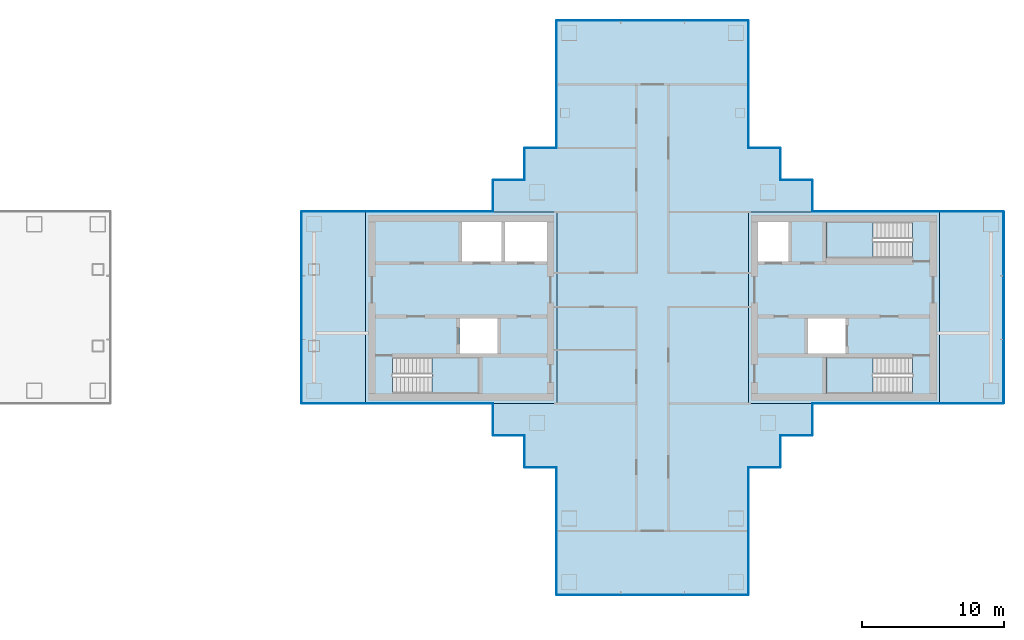
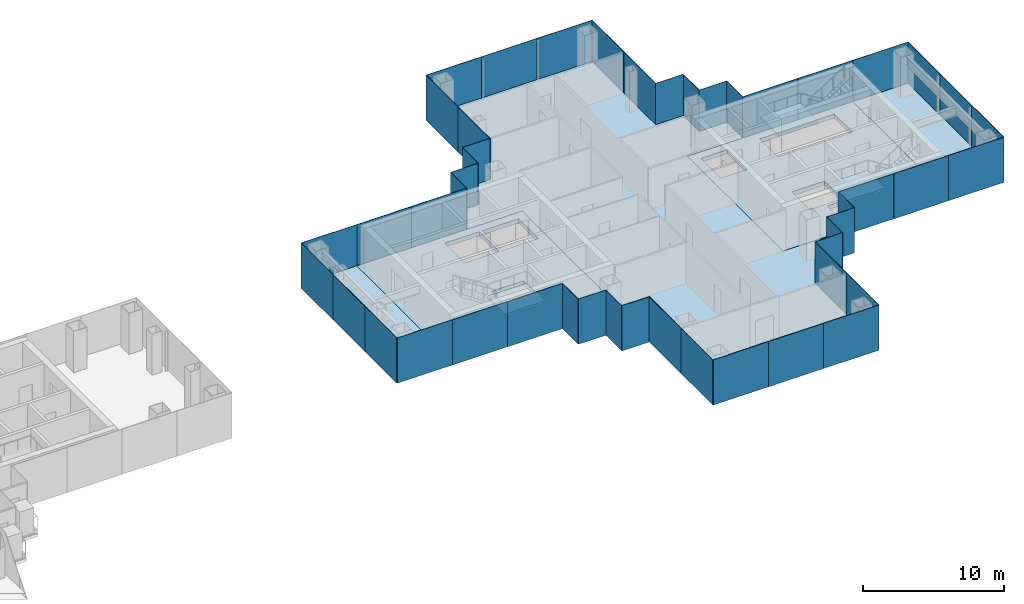
# One storey, part 8 of 16: 48 plates, 8 slabs, 23 elements without a shape of their own.
"""IFC4 building model written with IfcOpenShell, lengths in metres."""

from ifc_helpers import new_model, si_unit, direction, frame, origin, origin_2d, place, context, subcontext, project, spatial, polyline, rectangle, outline, extrude, material, layer, layer_set, type_object, element, aggregate, save


model = new_model("IFC4")

# Units and contexts
model_context = context("Model", 3, precision=1e-05, world=origin(), true_north=direction((0.0, 1.0)))
body_context = subcontext(model_context, "Body", "Model", "MODEL_VIEW")
ifc_project = project(units=[si_unit("LENGTHUNIT", "METRE"), si_unit("AREAUNIT", "SQUARE_METRE"), si_unit("VOLUMEUNIT", "CUBIC_METRE"), si_unit("PLANEANGLEUNIT", "RADIAN"), si_unit("MASSUNIT", "GRAM", prefix="KILO")], contexts=[model_context])

# Site, building, storey
site_placement = place(None, origin())
site = spatial("IfcSite", under=ifc_project, at=site_placement, CompositionType="ELEMENT")
building_placement = place(site_placement, origin())
building = spatial("IfcBuilding", under=site, at=building_placement, Name="Shamsa Quay Exchange Towers", CompositionType="ELEMENT")
storey_placement = place(building_placement, frame((0.0, 0.0, 154.5)))
storey = spatial("IfcBuildingStorey", under=building, at=storey_placement, Name="L36", CompositionType="ELEMENT", Elevation=154.5)

# Slabs
ifc_material_1 = material(Name="Concrete C50/60", Category="concrete")
ifc_layer_1 = layer(ifc_material_1, 0.35009765625)
ifc_layer_set_1 = layer_set([ifc_layer_1], Name="CORE FLOOR 350 C50/60")
slab_type_1 = type_object("IfcSlabType", Name="CORE FLOOR 350 C50/60", PredefinedType="FLOOR", material=ifc_layer_set_1)
slab_1_placement = place(storey_placement, frame((0.0, 0.0, -0.35009765625)))
element("IfcSlab", 1, at=slab_1_placement, inside=storey, type_object=slab_type_1, Name="Core floor T2A", PredefinedType="FLOOR", context=body_context, shape_type="SweptSolid", body=[
    extrude(outline(polyline([(13.5, -6.75), (27.0, -6.75), (27.0, 6.75), (13.5, 6.75), (13.5, -6.75)]), holes=[polyline([(15.400634765625, -6.050048828125), (15.400634765625, -3.5), (21.5, -3.5), (21.5, -6.050048828125), (15.400634765625, -6.050048828125)]), polyline([(20.300048828125, 3.25), (20.300048828125, 6.050048828125), (23.10009765625, 6.050048828125), (23.10009765625, 3.25), (20.300048828125, 3.25)]), polyline([(23.35009765625, 3.25), (23.35009765625, 6.050048828125), (26.300048828125, 6.050048828125), (26.300048828125, 3.25), (23.35009765625, 3.25)]), polyline([(20.14990234375, -3.25), (20.14990234375, -0.75), (22.800048828125, -0.75), (22.800048828125, -3.25), (20.14990234375, -3.25)])]), origin(), (0.0, 0.0, 1.0), 0.35009765625),
])
slab_2_placement = place(storey_placement, frame((0.0, 0.0, -0.35009765625)))
element("IfcSlab", 2, at=slab_2_placement, inside=storey, type_object=slab_type_1, Name="Core floor T2B", PredefinedType="FLOOR", context=body_context, shape_type="SweptSolid", body=[
    extrude(outline(polyline([(54.0, -6.75), (54.0, 6.75), (40.5, 6.75), (40.5, -6.75), (54.0, -6.75)]), holes=[polyline([(52.099365234375, -3.5), (52.099365234375, -6.050048828125), (46.0, -6.050048828125), (46.0, -3.5), (52.099365234375, -3.5)]), polyline([(52.099365234375, 6.050048828125), (52.099365234375, 3.5), (46.0, 3.5), (46.0, 6.050048828125), (52.099365234375, 6.050048828125)]), polyline([(43.35009765625, 3.25), (41.199951171875, 3.25), (41.199951171875, 6.050048828125), (43.35009765625, 6.050048828125), (43.35009765625, 3.25)]), polyline([(47.35009765625, -3.25), (44.699951171875, -3.25), (44.699951171875, -0.75), (47.35009765625, -0.75), (47.35009765625, -3.25)])]), origin(), (0.0, 0.0, 1.0), 0.35009765625),
])

# Stair, slab
ifc_material_2 = material(Name="Concrete C40/50", Category="concrete")
stair_type = type_object("IfcStairType", Name="EXIT STAIR 22 RISERS 177 MM", PredefinedType="HALF_TURN_STAIR", material=ifc_material_2)
stair_1_placement = place(storey_placement, origin())
stair_1 = element("IfcStair", 3, at=stair_1_placement, inside=storey, type_object=stair_type, Name="L36 Exit stair ST4", PredefinedType="HALF_TURN_STAIR")
ifc_layer_2 = layer(ifc_material_2, 0.199951171875)
ifc_layer_set_2 = layer_set([ifc_layer_2], Name="CORE STAIR LANDING")
slab_type_2 = type_object("IfcSlabType", Name="CORE STAIR LANDING", PredefinedType="LANDING", material=ifc_layer_set_2)
slab_3_placement = place(storey_placement, frame((0.0, 0.0, 1.75)))
slab_3 = element("IfcSlab", 4, at=slab_3_placement, type_object=slab_type_2, Name="ST4 landing 1", PredefinedType="LANDING", context=body_context, shape_type="SweptSolid", body=[
    extrude(outline(polyline([(18.199951171875, -6.050048828125), (21.5, -6.050048828125), (21.5, -3.5), (18.199951171875, -3.5), (18.199951171875, -6.050048828125)])), origin(), (0.0, 0.0, 1.0), 0.199951171875),
])
aggregate(stair_1, [slab_3])

stair_2_placement = place(storey_placement, origin())
stair_2 = element("IfcStair", 5, at=stair_2_placement, inside=storey, type_object=stair_type, Name="L36 Exit stair ST5", PredefinedType="HALF_TURN_STAIR")
slab_4_placement = place(storey_placement, frame((0.0, 0.0, 1.75)))
slab_4 = element("IfcSlab", 6, at=slab_4_placement, type_object=slab_type_2, Name="ST5 landing 1", PredefinedType="LANDING", context=body_context, shape_type="SweptSolid", body=[
    extrude(outline(polyline([(49.300048828125, -3.5), (46.0, -3.5), (46.0, -6.050048828125), (49.300048828125, -6.050048828125), (49.300048828125, -3.5)])), origin(), (0.0, 0.0, 1.0), 0.199951171875),
])
aggregate(stair_2, [slab_4])

stair_3_placement = place(storey_placement, origin())
stair_3 = element("IfcStair", 7, at=stair_3_placement, inside=storey, type_object=stair_type, Name="L36 Exit stair ST6", PredefinedType="HALF_TURN_STAIR")
slab_5_placement = place(storey_placement, frame((0.0, 0.0, 1.75)))
slab_5 = element("IfcSlab", 8, at=slab_5_placement, type_object=slab_type_2, Name="ST6 landing 1", PredefinedType="LANDING", context=body_context, shape_type="SweptSolid", body=[
    extrude(outline(polyline([(49.300048828125, 6.050048828125), (46.0, 6.050048828125), (46.0, 3.5), (49.300048828125, 3.5), (49.300048828125, 6.050048828125)])), origin(), (0.0, 0.0, 1.0), 0.199951171875),
])
aggregate(stair_3, [slab_5])

# Curtain wall, plate
ifc_material_3 = material(Name="Aluminium EN AW-6063 T6, black anodised", Category="aluminium")
ifc_layer_3 = layer(ifc_material_3, 0.280029296875)
ifc_layer_set_3 = layer_set([ifc_layer_3], Name="CW-1 UNITISED VISION GLASS")
curtain_wall_type_1 = type_object("IfcCurtainWallType", Name="CW-1 UNITISED VISION GLASS", PredefinedType="NOTDEFINED", material=ifc_layer_set_3)
curtain_wall_1_placement = place(storey_placement, origin())
curtain_wall_1 = element("IfcCurtainWall", 9, at=curtain_wall_1_placement, inside=storey, type_object=curtain_wall_type_1, Name="CW1 T2-FLK-V-W L36", PredefinedType="NOTDEFINED")
ifc_material_4 = material(Name="Glass, laminated, dark tinted", Category="glass")
ifc_layer_4 = layer(ifc_material_4, 0.0400390625)
ifc_layer_set_4 = layer_set([ifc_layer_4], Name="CW-1 VISION GLASS 40")
plate_type_1 = type_object("IfcPlateType", Name="CW-1 VISION GLASS 40", PredefinedType="CURTAIN_PANEL", material=ifc_layer_set_4)
plate_1_placement = place(storey_placement, frame((56.25, -6.77001953125, -0.349853515625)))
plate_1 = element("IfcPlate", 10, at=plate_1_placement, type_object=plate_type_1, Name="CW1 glass panel", PredefinedType="CURTAIN_PANEL", context=body_context, shape_type="SweptSolid", body=[
    extrude(rectangle(XDim=4.5, YDim=0.0400390625, at=origin_2d()), origin(), (0.0, 0.0, 1.0), 3.89990234375),
])
aggregate(curtain_wall_1, [plate_1])

# Curtain wall, plates
curtain_wall_2_placement = place(storey_placement, origin())
curtain_wall_2 = element("IfcCurtainWall", 11, at=curtain_wall_2_placement, inside=storey, type_object=curtain_wall_type_1, Name="CW1 T2-END-V- L36", PredefinedType="NOTDEFINED")
plate_2_placement = place(storey_placement, frame((58.52001953125, -4.50244140625, -0.349853515625), z_axis=(0.0, 0.0, 1.0), x_axis=(0.0, 1.0, 0.0)))
plate_2 = element("IfcPlate", 12, at=plate_2_placement, type_object=plate_type_1, Name="CW1 glass panel", PredefinedType="CURTAIN_PANEL", context=body_context, shape_type="SweptSolid", body=[
    extrude(rectangle(XDim=4.4951171875, YDim=0.0400390625, at=origin_2d()), origin(), (0.0, 0.0, 1.0), 3.89990234375),
])
plate_3_placement = place(storey_placement, frame((58.52001953125, 0.0, -0.349853515625), z_axis=(0.0, 0.0, 1.0), x_axis=(0.0, 1.0, 0.0)))
plate_3 = element("IfcPlate", 13, at=plate_3_placement, type_object=plate_type_1, Name="CW1 glass panel", PredefinedType="CURTAIN_PANEL", context=body_context, shape_type="SweptSolid", body=[
    extrude(rectangle(XDim=4.489990234375, YDim=0.0400390625, at=origin_2d()), origin(), (0.0, 0.0, 1.0), 3.89990234375),
])
plate_4_placement = place(storey_placement, frame((58.52001953125, 4.50244140625, -0.349853515625), z_axis=(0.0, 0.0, 1.0), x_axis=(0.0, 1.0, 0.0)))
plate_4 = element("IfcPlate", 14, at=plate_4_placement, type_object=plate_type_1, Name="CW1 glass panel", PredefinedType="CURTAIN_PANEL", context=body_context, shape_type="SweptSolid", body=[
    extrude(rectangle(XDim=4.4951171875, YDim=0.0400390625, at=origin_2d()), origin(), (0.0, 0.0, 1.0), 3.89990234375),
])
aggregate(curtain_wall_2, [plate_2, plate_3, plate_4])

# Curtain wall, plate
curtain_wall_3_placement = place(storey_placement, origin())
curtain_wall_3 = element("IfcCurtainWall", 15, at=curtain_wall_3_placement, inside=storey, type_object=curtain_wall_type_1, Name="CW1 T2-FLK-V-E L36", PredefinedType="NOTDEFINED")
plate_5_placement = place(storey_placement, frame((56.25, 6.77001953125, -0.349853515625), z_axis=(0.0, 0.0, 1.0), x_axis=(-1.0, 0.0, 0.0)))
plate_5 = element("IfcPlate", 16, at=plate_5_placement, type_object=plate_type_1, Name="CW1 glass panel", PredefinedType="CURTAIN_PANEL", context=body_context, shape_type="SweptSolid", body=[
    extrude(rectangle(XDim=4.5, YDim=0.0400390625, at=origin_2d()), origin(), (0.0, 0.0, 1.0), 3.89990234375),
])
aggregate(curtain_wall_3, [plate_5])

# Curtain wall, plates
curtain_wall_4_placement = place(storey_placement, origin())
curtain_wall_4 = element("IfcCurtainWall", 17, at=curtain_wall_4_placement, inside=storey, type_object=curtain_wall_type_1, Name="CW1 T2-FLK-U+S L36", PredefinedType="NOTDEFINED")
plate_6_placement = place(storey_placement, frame((40.52001953125, 13.52587890625, -0.349853515625), z_axis=(0.0, 0.0, 1.0), x_axis=(0.0, 1.0, 0.0)))
plate_6 = element("IfcPlate", 18, at=plate_6_placement, type_object=plate_type_1, Name="CW1 glass panel", PredefinedType="CURTAIN_PANEL", context=body_context, shape_type="SweptSolid", body=[
    extrude(rectangle(XDim=4.47607421875, YDim=0.0400390625, at=origin_2d()), origin(), (0.0, 0.0, 1.0), 3.89990234375),
])
plate_7_placement = place(storey_placement, frame((40.52001953125, 18.011962890625, -0.349853515625), z_axis=(0.0, 0.0, 1.0), x_axis=(0.0, 1.0, 0.0)))
plate_7 = element("IfcPlate", 19, at=plate_7_placement, type_object=plate_type_1, Name="CW1 glass panel", PredefinedType="CURTAIN_PANEL", context=body_context, shape_type="SweptSolid", body=[
    extrude(rectangle(XDim=4.47607421875, YDim=0.0400390625, at=origin_2d()), origin(), (0.0, 0.0, 1.0), 3.89990234375),
])
aggregate(curtain_wall_4, [plate_6, plate_7])

curtain_wall_5_placement = place(storey_placement, origin())
curtain_wall_5 = element("IfcCurtainWall", 20, at=curtain_wall_5_placement, inside=storey, type_object=curtain_wall_type_1, Name="CW1 T2-END-U+ L36", PredefinedType="NOTDEFINED")
plate_8_placement = place(storey_placement, frame((38.25244140625, 20.27001953125, -0.349853515625), z_axis=(0.0, 0.0, 1.0), x_axis=(-1.0, 0.0, 0.0)))
plate_8 = element("IfcPlate", 21, at=plate_8_placement, type_object=plate_type_1, Name="CW1 glass panel", PredefinedType="CURTAIN_PANEL", context=body_context, shape_type="SweptSolid", body=[
    extrude(rectangle(XDim=4.4951171875, YDim=0.0400390625, at=origin_2d()), origin(), (0.0, 0.0, 1.0), 3.89990234375),
])
plate_9_placement = place(storey_placement, frame((33.75, 20.27001953125, -0.349853515625), z_axis=(0.0, 0.0, 1.0), x_axis=(-1.0, 0.0, 0.0)))
plate_9 = element("IfcPlate", 22, at=plate_9_placement, type_object=plate_type_1, Name="CW1 glass panel", PredefinedType="CURTAIN_PANEL", context=body_context, shape_type="SweptSolid", body=[
    extrude(rectangle(XDim=4.489990234375, YDim=0.0400390625, at=origin_2d()), origin(), (0.0, 0.0, 1.0), 3.89990234375),
])
plate_10_placement = place(storey_placement, frame((29.24755859375, 20.27001953125, -0.349853515625), z_axis=(0.0, 0.0, 1.0), x_axis=(-1.0, 0.0, 0.0)))
plate_10 = element("IfcPlate", 23, at=plate_10_placement, type_object=plate_type_1, Name="CW1 glass panel", PredefinedType="CURTAIN_PANEL", context=body_context, shape_type="SweptSolid", body=[
    extrude(rectangle(XDim=4.4951171875, YDim=0.0400390625, at=origin_2d()), origin(), (0.0, 0.0, 1.0), 3.89990234375),
])
aggregate(curtain_wall_5, [plate_8, plate_9, plate_10])

curtain_wall_6_placement = place(storey_placement, origin())
curtain_wall_6 = element("IfcCurtainWall", 24, at=curtain_wall_6_placement, inside=storey, type_object=curtain_wall_type_1, Name="CW1 T2-FLK-U+N L36", PredefinedType="NOTDEFINED")
plate_11_placement = place(storey_placement, frame((26.97998046875, 18.00244140625, -0.349853515625), z_axis=(0.0, 0.0, 1.0), x_axis=(0.0, -1.0, 0.0)))
plate_11 = element("IfcPlate", 25, at=plate_11_placement, type_object=plate_type_1, Name="CW1 glass panel", PredefinedType="CURTAIN_PANEL", context=body_context, shape_type="SweptSolid", body=[
    extrude(rectangle(XDim=4.4951171875, YDim=0.0400390625, at=origin_2d()), origin(), (0.0, 0.0, 1.0), 3.89990234375),
])
plate_12_placement = place(storey_placement, frame((26.97998046875, 13.49755859375, -0.349853515625), z_axis=(0.0, 0.0, 1.0), x_axis=(0.0, -1.0, 0.0)))
plate_12 = element("IfcPlate", 26, at=plate_12_placement, type_object=plate_type_1, Name="CW1 glass panel", PredefinedType="CURTAIN_PANEL", context=body_context, shape_type="SweptSolid", body=[
    extrude(rectangle(XDim=4.4951171875, YDim=0.0400390625, at=origin_2d()), origin(), (0.0, 0.0, 1.0), 3.89990234375),
])
aggregate(curtain_wall_6, [plate_11, plate_12])

# Curtain wall, plate
curtain_wall_7_placement = place(storey_placement, origin())
curtain_wall_7 = element("IfcCurtainWall", 27, at=curtain_wall_7_placement, inside=storey, type_object=curtain_wall_type_1, Name="CW1 T2-FLK-V+E L36", PredefinedType="NOTDEFINED")
plate_13_placement = place(storey_placement, frame((11.25, 6.77001953125, -0.349853515625), z_axis=(0.0, 0.0, 1.0), x_axis=(-1.0, 0.0, 0.0)))
plate_13 = element("IfcPlate", 28, at=plate_13_placement, type_object=plate_type_1, Name="CW1 glass panel", PredefinedType="CURTAIN_PANEL", context=body_context, shape_type="SweptSolid", body=[
    extrude(rectangle(XDim=4.5, YDim=0.0400390625, at=origin_2d()), origin(), (0.0, 0.0, 1.0), 3.89990234375),
])
aggregate(curtain_wall_7, [plate_13])

# Curtain wall, plates
curtain_wall_8_placement = place(storey_placement, origin())
curtain_wall_8 = element("IfcCurtainWall", 29, at=curtain_wall_8_placement, inside=storey, type_object=curtain_wall_type_1, Name="CW1 T2-END-V+ L36", PredefinedType="NOTDEFINED")
plate_14_placement = place(storey_placement, frame((8.97998046875, 4.50244140625, -0.349853515625), z_axis=(0.0, 0.0, 1.0), x_axis=(0.0, -1.0, 0.0)))
plate_14 = element("IfcPlate", 30, at=plate_14_placement, type_object=plate_type_1, Name="CW1 glass panel", PredefinedType="CURTAIN_PANEL", context=body_context, shape_type="SweptSolid", body=[
    extrude(rectangle(XDim=4.4951171875, YDim=0.0400390625, at=origin_2d()), origin(), (0.0, 0.0, 1.0), 3.89990234375),
])
plate_15_placement = place(storey_placement, frame((8.97998046875, 0.0, -0.349853515625), z_axis=(0.0, 0.0, 1.0), x_axis=(0.0, -1.0, 0.0)))
plate_15 = element("IfcPlate", 31, at=plate_15_placement, type_object=plate_type_1, Name="CW1 glass panel", PredefinedType="CURTAIN_PANEL", context=body_context, shape_type="SweptSolid", body=[
    extrude(rectangle(XDim=4.489990234375, YDim=0.0400390625, at=origin_2d()), origin(), (0.0, 0.0, 1.0), 3.89990234375),
])
plate_16_placement = place(storey_placement, frame((8.97998046875, -4.50244140625, -0.349853515625), z_axis=(0.0, 0.0, 1.0), x_axis=(0.0, -1.0, 0.0)))
plate_16 = element("IfcPlate", 32, at=plate_16_placement, type_object=plate_type_1, Name="CW1 glass panel", PredefinedType="CURTAIN_PANEL", context=body_context, shape_type="SweptSolid", body=[
    extrude(rectangle(XDim=4.4951171875, YDim=0.0400390625, at=origin_2d()), origin(), (0.0, 0.0, 1.0), 3.89990234375),
])
aggregate(curtain_wall_8, [plate_14, plate_15, plate_16])

# Curtain wall, plate
curtain_wall_9_placement = place(storey_placement, origin())
curtain_wall_9 = element("IfcCurtainWall", 33, at=curtain_wall_9_placement, inside=storey, type_object=curtain_wall_type_1, Name="CW1 T2-FLK-V+W L36", PredefinedType="NOTDEFINED")
plate_17_placement = place(storey_placement, frame((11.25, -6.77001953125, -0.349853515625)))
plate_17 = element("IfcPlate", 34, at=plate_17_placement, type_object=plate_type_1, Name="CW1 glass panel", PredefinedType="CURTAIN_PANEL", context=body_context, shape_type="SweptSolid", body=[
    extrude(rectangle(XDim=4.5, YDim=0.0400390625, at=origin_2d()), origin(), (0.0, 0.0, 1.0), 3.89990234375),
])
aggregate(curtain_wall_9, [plate_17])

# Curtain wall, plates
curtain_wall_10_placement = place(storey_placement, origin())
curtain_wall_10 = element("IfcCurtainWall", 35, at=curtain_wall_10_placement, inside=storey, type_object=curtain_wall_type_1, Name="CW1 T2-FLK-U-N L36", PredefinedType="NOTDEFINED")
plate_18_placement = place(storey_placement, frame((26.97998046875, -13.52587890625, -0.349853515625), z_axis=(0.0, 0.0, 1.0), x_axis=(0.0, -1.0, 0.0)))
plate_18 = element("IfcPlate", 36, at=plate_18_placement, type_object=plate_type_1, Name="CW1 glass panel", PredefinedType="CURTAIN_PANEL", context=body_context, shape_type="SweptSolid", body=[
    extrude(rectangle(XDim=4.47607421875, YDim=0.0400390625, at=origin_2d()), origin(), (0.0, 0.0, 1.0), 3.89990234375),
])
plate_19_placement = place(storey_placement, frame((26.97998046875, -18.011962890625, -0.349853515625), z_axis=(0.0, 0.0, 1.0), x_axis=(0.0, -1.0, 0.0)))
plate_19 = element("IfcPlate", 37, at=plate_19_placement, type_object=plate_type_1, Name="CW1 glass panel", PredefinedType="CURTAIN_PANEL", context=body_context, shape_type="SweptSolid", body=[
    extrude(rectangle(XDim=4.47607421875, YDim=0.0400390625, at=origin_2d()), origin(), (0.0, 0.0, 1.0), 3.89990234375),
])
aggregate(curtain_wall_10, [plate_18, plate_19])

curtain_wall_11_placement = place(storey_placement, origin())
curtain_wall_11 = element("IfcCurtainWall", 38, at=curtain_wall_11_placement, inside=storey, type_object=curtain_wall_type_1, Name="CW1 T2-END-U- L36", PredefinedType="NOTDEFINED")
plate_20_placement = place(storey_placement, frame((29.24755859375, -20.27001953125, -0.349853515625)))
plate_20 = element("IfcPlate", 39, at=plate_20_placement, type_object=plate_type_1, Name="CW1 glass panel", PredefinedType="CURTAIN_PANEL", context=body_context, shape_type="SweptSolid", body=[
    extrude(rectangle(XDim=4.4951171875, YDim=0.0400390625, at=origin_2d()), origin(), (0.0, 0.0, 1.0), 3.89990234375),
])
plate_21_placement = place(storey_placement, frame((33.75, -20.27001953125, -0.349853515625)))
plate_21 = element("IfcPlate", 40, at=plate_21_placement, type_object=plate_type_1, Name="CW1 glass panel", PredefinedType="CURTAIN_PANEL", context=body_context, shape_type="SweptSolid", body=[
    extrude(rectangle(XDim=4.489990234375, YDim=0.0400390625, at=origin_2d()), origin(), (0.0, 0.0, 1.0), 3.89990234375),
])
plate_22_placement = place(storey_placement, frame((38.25244140625, -20.27001953125, -0.349853515625)))
plate_22 = element("IfcPlate", 41, at=plate_22_placement, type_object=plate_type_1, Name="CW1 glass panel", PredefinedType="CURTAIN_PANEL", context=body_context, shape_type="SweptSolid", body=[
    extrude(rectangle(XDim=4.4951171875, YDim=0.0400390625, at=origin_2d()), origin(), (0.0, 0.0, 1.0), 3.89990234375),
])
aggregate(curtain_wall_11, [plate_20, plate_21, plate_22])

curtain_wall_12_placement = place(storey_placement, origin())
curtain_wall_12 = element("IfcCurtainWall", 42, at=curtain_wall_12_placement, inside=storey, type_object=curtain_wall_type_1, Name="CW1 T2-FLK-U-S L36", PredefinedType="NOTDEFINED")
plate_23_placement = place(storey_placement, frame((40.52001953125, -18.00244140625, -0.349853515625), z_axis=(0.0, 0.0, 1.0), x_axis=(0.0, 1.0, 0.0)))
plate_23 = element("IfcPlate", 43, at=plate_23_placement, type_object=plate_type_1, Name="CW1 glass panel", PredefinedType="CURTAIN_PANEL", context=body_context, shape_type="SweptSolid", body=[
    extrude(rectangle(XDim=4.4951171875, YDim=0.0400390625, at=origin_2d()), origin(), (0.0, 0.0, 1.0), 3.89990234375),
])
plate_24_placement = place(storey_placement, frame((40.52001953125, -13.49755859375, -0.349853515625), z_axis=(0.0, 0.0, 1.0), x_axis=(0.0, 1.0, 0.0)))
plate_24 = element("IfcPlate", 44, at=plate_24_placement, type_object=plate_type_1, Name="CW1 glass panel", PredefinedType="CURTAIN_PANEL", context=body_context, shape_type="SweptSolid", body=[
    extrude(rectangle(XDim=4.4951171875, YDim=0.0400390625, at=origin_2d()), origin(), (0.0, 0.0, 1.0), 3.89990234375),
])
aggregate(curtain_wall_12, [plate_23, plate_24])

ifc_layer_5 = layer(ifc_material_3, 0.303955078125)
ifc_layer_set_5 = layer_set([ifc_layer_5], Name="CW-2 UNITISED OPAQUE SPANDREL GLASS")
curtain_wall_type_2 = type_object("IfcCurtainWallType", Name="CW-2 UNITISED OPAQUE SPANDREL GLASS", PredefinedType="NOTDEFINED", material=ifc_layer_set_5)
curtain_wall_13_placement = place(storey_placement, origin())
curtain_wall_13 = element("IfcCurtainWall", 45, at=curtain_wall_13_placement, inside=storey, type_object=curtain_wall_type_2, Name="CW2 T2-FLK-V-W L36", PredefinedType="NOTDEFINED")
ifc_material_5 = material(Name="Glass, laminated, black enamelled opaque", Category="glass")
ifc_layer_6 = layer(ifc_material_5, 0.0439453125)
ifc_layer_set_6 = layer_set([ifc_layer_6], Name="CW-2 SPANDREL GLASS 44")
plate_type_2 = type_object("IfcPlateType", Name="CW-2 SPANDREL GLASS 44", PredefinedType="CURTAIN_PANEL", material=ifc_layer_set_6)
plate_25_placement = place(storey_placement, frame((47.27587890625, -6.77197265625, -0.349853515625)))
plate_25 = element("IfcPlate", 46, at=plate_25_placement, type_object=plate_type_2, Name="CW2 glass panel", PredefinedType="CURTAIN_PANEL", context=body_context, shape_type="SweptSolid", body=[
    extrude(rectangle(XDim=4.47607421875, YDim=0.0439453125, at=origin_2d()), origin(), (0.0, 0.0, 1.0), 3.89990234375),
])
plate_26_placement = place(storey_placement, frame((51.761962890625, -6.77197265625, -0.349853515625)))
plate_26 = element("IfcPlate", 47, at=plate_26_placement, type_object=plate_type_2, Name="CW2 glass panel", PredefinedType="CURTAIN_PANEL", context=body_context, shape_type="SweptSolid", body=[
    extrude(rectangle(XDim=4.47607421875, YDim=0.0439453125, at=origin_2d()), origin(), (0.0, 0.0, 1.0), 3.89990234375),
])
aggregate(curtain_wall_13, [plate_25, plate_26])

curtain_wall_14_placement = place(storey_placement, origin())
curtain_wall_14 = element("IfcCurtainWall", 48, at=curtain_wall_14_placement, inside=storey, type_object=curtain_wall_type_2, Name="CW2 T2-FLK-V-E L36", PredefinedType="NOTDEFINED")
plate_27_placement = place(storey_placement, frame((51.75244140625, 6.77197265625, -0.349853515625), z_axis=(0.0, 0.0, 1.0), x_axis=(-1.0, 0.0, 0.0)))
plate_27 = element("IfcPlate", 49, at=plate_27_placement, type_object=plate_type_2, Name="CW2 glass panel", PredefinedType="CURTAIN_PANEL", context=body_context, shape_type="SweptSolid", body=[
    extrude(rectangle(XDim=4.4951171875, YDim=0.0439453125, at=origin_2d()), origin(), (0.0, 0.0, 1.0), 3.89990234375),
])
plate_28_placement = place(storey_placement, frame((47.24755859375, 6.77197265625, -0.349853515625), z_axis=(0.0, 0.0, 1.0), x_axis=(-1.0, 0.0, 0.0)))
plate_28 = element("IfcPlate", 50, at=plate_28_placement, type_object=plate_type_2, Name="CW2 glass panel", PredefinedType="CURTAIN_PANEL", context=body_context, shape_type="SweptSolid", body=[
    extrude(rectangle(XDim=4.4951171875, YDim=0.0439453125, at=origin_2d()), origin(), (0.0, 0.0, 1.0), 3.89990234375),
])
aggregate(curtain_wall_14, [plate_27, plate_28])

curtain_wall_15_placement = place(storey_placement, origin())
curtain_wall_15 = element("IfcCurtainWall", 51, at=curtain_wall_15_placement, inside=storey, type_object=curtain_wall_type_2, Name="CW2 T2-FLK-V+E L36", PredefinedType="NOTDEFINED")
plate_29_placement = place(storey_placement, frame((20.22412109375, 6.77197265625, -0.349853515625), z_axis=(0.0, 0.0, 1.0), x_axis=(-1.0, 0.0, 0.0)))
plate_29 = element("IfcPlate", 52, at=plate_29_placement, type_object=plate_type_2, Name="CW2 glass panel", PredefinedType="CURTAIN_PANEL", context=body_context, shape_type="SweptSolid", body=[
    extrude(rectangle(XDim=4.47607421875, YDim=0.0439453125, at=origin_2d()), origin(), (0.0, 0.0, 1.0), 3.89990234375),
])
plate_30_placement = place(storey_placement, frame((15.738037109375, 6.77197265625, -0.349853515625), z_axis=(0.0, 0.0, 1.0), x_axis=(-1.0, 0.0, 0.0)))
plate_30 = element("IfcPlate", 53, at=plate_30_placement, type_object=plate_type_2, Name="CW2 glass panel", PredefinedType="CURTAIN_PANEL", context=body_context, shape_type="SweptSolid", body=[
    extrude(rectangle(XDim=4.47607421875, YDim=0.0439453125, at=origin_2d()), origin(), (0.0, 0.0, 1.0), 3.89990234375),
])
aggregate(curtain_wall_15, [plate_29, plate_30])

curtain_wall_16_placement = place(storey_placement, origin())
curtain_wall_16 = element("IfcCurtainWall", 54, at=curtain_wall_16_placement, inside=storey, type_object=curtain_wall_type_2, Name="CW2 T2-FLK-V+W L36", PredefinedType="NOTDEFINED")
plate_31_placement = place(storey_placement, frame((15.74755859375, -6.77197265625, -0.349853515625)))
plate_31 = element("IfcPlate", 55, at=plate_31_placement, type_object=plate_type_2, Name="CW2 glass panel", PredefinedType="CURTAIN_PANEL", context=body_context, shape_type="SweptSolid", body=[
    extrude(rectangle(XDim=4.4951171875, YDim=0.0439453125, at=origin_2d()), origin(), (0.0, 0.0, 1.0), 3.89990234375),
])
plate_32_placement = place(storey_placement, frame((20.25244140625, -6.77197265625, -0.349853515625)))
plate_32 = element("IfcPlate", 56, at=plate_32_placement, type_object=plate_type_2, Name="CW2 glass panel", PredefinedType="CURTAIN_PANEL", context=body_context, shape_type="SweptSolid", body=[
    extrude(rectangle(XDim=4.4951171875, YDim=0.0439453125, at=origin_2d()), origin(), (0.0, 0.0, 1.0), 3.89990234375),
])
aggregate(curtain_wall_16, [plate_31, plate_32])

ifc_layer_7 = layer(ifc_material_3, 0.256103515625)
ifc_layer_set_7 = layer_set([ifc_layer_7], Name="CW-4 POCKET SERRATED GLAZING")
curtain_wall_type_3 = type_object("IfcCurtainWallType", Name="CW-4 POCKET SERRATED GLAZING", PredefinedType="NOTDEFINED", material=ifc_layer_set_7)
curtain_wall_17_placement = place(storey_placement, origin())
curtain_wall_17 = element("IfcCurtainWall", 57, at=curtain_wall_17_placement, inside=storey, type_object=curtain_wall_type_3, Name="CW4 PKWS L36", PredefinedType="NOTDEFINED")
ifc_layer_8 = layer(ifc_material_4, 0.035888671875)
ifc_layer_set_8 = layer_set([ifc_layer_8], Name="CW-4 POCKET GLASS 36")
plate_type_3 = type_object("IfcPlateType", Name="CW-4 POCKET GLASS 36", PredefinedType="CURTAIN_PANEL", material=ifc_layer_set_8)
plate_33_placement = place(storey_placement, frame((43.89404296875, -9.01806640625, -0.349853515625)))
plate_33 = element("IfcPlate", 58, at=plate_33_placement, type_object=plate_type_3, Name="CW4 glass panel", PredefinedType="CURTAIN_PANEL", context=body_context, shape_type="SweptSolid", body=[
    extrude(rectangle(XDim=2.2119140625, YDim=0.035888671875, at=origin_2d()), origin(), (0.0, 0.0, 1.0), 3.89990234375),
])
plate_34_placement = place(storey_placement, frame((45.01806640625, -7.875, -0.349853515625), z_axis=(0.0, 0.0, 1.0), x_axis=(0.0, 1.0, 0.0)))
plate_34 = element("IfcPlate", 59, at=plate_34_placement, type_object=plate_type_3, Name="CW4 glass panel", PredefinedType="CURTAIN_PANEL", context=body_context, shape_type="SweptSolid", body=[
    extrude(rectangle(XDim=2.25, YDim=0.035888671875, at=origin_2d()), origin(), (0.0, 0.0, 1.0), 3.89990234375),
])
plate_35_placement = place(storey_placement, frame((41.64599609375, -11.26806640625, -0.349853515625)))
plate_35 = element("IfcPlate", 60, at=plate_35_placement, type_object=plate_type_3, Name="CW4 glass panel", PredefinedType="CURTAIN_PANEL", context=body_context, shape_type="SweptSolid", body=[
    extrude(rectangle(XDim=2.2080078125, YDim=0.035888671875, at=origin_2d()), origin(), (0.0, 0.0, 1.0), 3.89990234375),
])
plate_36_placement = place(storey_placement, frame((42.76806640625, -10.125, -0.349853515625), z_axis=(0.0, 0.0, 1.0), x_axis=(0.0, 1.0, 0.0)))
plate_36 = element("IfcPlate", 61, at=plate_36_placement, type_object=plate_type_3, Name="CW4 glass panel", PredefinedType="CURTAIN_PANEL", context=body_context, shape_type="SweptSolid", body=[
    extrude(rectangle(XDim=2.25, YDim=0.035888671875, at=origin_2d()), origin(), (0.0, 0.0, 1.0), 3.89990234375),
])
aggregate(curtain_wall_17, [plate_33, plate_34, plate_35, plate_36])

curtain_wall_18_placement = place(storey_placement, origin())
curtain_wall_18 = element("IfcCurtainWall", 62, at=curtain_wall_18_placement, inside=storey, type_object=curtain_wall_type_3, Name="CW4 PKES L36", PredefinedType="NOTDEFINED")
plate_37_placement = place(storey_placement, frame((45.01806640625, 7.89794921875, -0.349853515625), z_axis=(0.0, 0.0, 1.0), x_axis=(0.0, 1.0, 0.0)))
plate_37 = element("IfcPlate", 63, at=plate_37_placement, type_object=plate_type_3, Name="CW4 glass panel", PredefinedType="CURTAIN_PANEL", context=body_context, shape_type="SweptSolid", body=[
    extrude(rectangle(XDim=2.2041015625, YDim=0.035888671875, at=origin_2d()), origin(), (0.0, 0.0, 1.0), 3.89990234375),
])
plate_38_placement = place(storey_placement, frame((43.875, 9.01806640625, -0.349853515625), z_axis=(0.0, 0.0, 1.0), x_axis=(-1.0, 0.0, 0.0)))
plate_38 = element("IfcPlate", 64, at=plate_38_placement, type_object=plate_type_3, Name="CW4 glass panel", PredefinedType="CURTAIN_PANEL", context=body_context, shape_type="SweptSolid", body=[
    extrude(rectangle(XDim=2.25, YDim=0.035888671875, at=origin_2d()), origin(), (0.0, 0.0, 1.0), 3.89990234375),
])
plate_39_placement = place(storey_placement, frame((42.76806640625, 10.14404296875, -0.349853515625), z_axis=(0.0, 0.0, 1.0), x_axis=(0.0, 1.0, 0.0)))
plate_39 = element("IfcPlate", 65, at=plate_39_placement, type_object=plate_type_3, Name="CW4 glass panel", PredefinedType="CURTAIN_PANEL", context=body_context, shape_type="SweptSolid", body=[
    extrude(rectangle(XDim=2.2119140625, YDim=0.035888671875, at=origin_2d()), origin(), (0.0, 0.0, 1.0), 3.89990234375),
])
plate_40_placement = place(storey_placement, frame((41.625, 11.26806640625, -0.349853515625), z_axis=(0.0, 0.0, 1.0), x_axis=(-1.0, 0.0, 0.0)))
plate_40 = element("IfcPlate", 66, at=plate_40_placement, type_object=plate_type_3, Name="CW4 glass panel", PredefinedType="CURTAIN_PANEL", context=body_context, shape_type="SweptSolid", body=[
    extrude(rectangle(XDim=2.25, YDim=0.035888671875, at=origin_2d()), origin(), (0.0, 0.0, 1.0), 3.89990234375),
])
aggregate(curtain_wall_18, [plate_37, plate_38, plate_39, plate_40])

curtain_wall_19_placement = place(storey_placement, origin())
curtain_wall_19 = element("IfcCurtainWall", 67, at=curtain_wall_19_placement, inside=storey, type_object=curtain_wall_type_3, Name="CW4 PKEN L36", PredefinedType="NOTDEFINED")
plate_41_placement = place(storey_placement, frame((25.85400390625, 11.26806640625, -0.349853515625), z_axis=(0.0, 0.0, 1.0), x_axis=(-1.0, 0.0, 0.0)))
plate_41 = element("IfcPlate", 68, at=plate_41_placement, type_object=plate_type_3, Name="CW4 glass panel", PredefinedType="CURTAIN_PANEL", context=body_context, shape_type="SweptSolid", body=[
    extrude(rectangle(XDim=2.2080078125, YDim=0.035888671875, at=origin_2d()), origin(), (0.0, 0.0, 1.0), 3.89990234375),
])
plate_42_placement = place(storey_placement, frame((24.73193359375, 10.125, -0.349853515625), z_axis=(0.0, 0.0, 1.0), x_axis=(0.0, -1.0, 0.0)))
plate_42 = element("IfcPlate", 69, at=plate_42_placement, type_object=plate_type_3, Name="CW4 glass panel", PredefinedType="CURTAIN_PANEL", context=body_context, shape_type="SweptSolid", body=[
    extrude(rectangle(XDim=2.25, YDim=0.035888671875, at=origin_2d()), origin(), (0.0, 0.0, 1.0), 3.89990234375),
])
plate_43_placement = place(storey_placement, frame((23.60595703125, 9.01806640625, -0.349853515625), z_axis=(0.0, 0.0, 1.0), x_axis=(-1.0, 0.0, 0.0)))
plate_43 = element("IfcPlate", 70, at=plate_43_placement, type_object=plate_type_3, Name="CW4 glass panel", PredefinedType="CURTAIN_PANEL", context=body_context, shape_type="SweptSolid", body=[
    extrude(rectangle(XDim=2.2119140625, YDim=0.035888671875, at=origin_2d()), origin(), (0.0, 0.0, 1.0), 3.89990234375),
])
plate_44_placement = place(storey_placement, frame((22.48193359375, 7.875, -0.349853515625), z_axis=(0.0, 0.0, 1.0), x_axis=(0.0, -1.0, 0.0)))
plate_44 = element("IfcPlate", 71, at=plate_44_placement, type_object=plate_type_3, Name="CW4 glass panel", PredefinedType="CURTAIN_PANEL", context=body_context, shape_type="SweptSolid", body=[
    extrude(rectangle(XDim=2.25, YDim=0.035888671875, at=origin_2d()), origin(), (0.0, 0.0, 1.0), 3.89990234375),
])
aggregate(curtain_wall_19, [plate_41, plate_42, plate_43, plate_44])

curtain_wall_20_placement = place(storey_placement, origin())
curtain_wall_20 = element("IfcCurtainWall", 72, at=curtain_wall_20_placement, inside=storey, type_object=curtain_wall_type_3, Name="CW4 PKWN L36", PredefinedType="NOTDEFINED")
plate_45_placement = place(storey_placement, frame((22.48193359375, -7.89794921875, -0.349853515625), z_axis=(0.0, 0.0, 1.0), x_axis=(0.0, -1.0, 0.0)))
plate_45 = element("IfcPlate", 73, at=plate_45_placement, type_object=plate_type_3, Name="CW4 glass panel", PredefinedType="CURTAIN_PANEL", context=body_context, shape_type="SweptSolid", body=[
    extrude(rectangle(XDim=2.2041015625, YDim=0.035888671875, at=origin_2d()), origin(), (0.0, 0.0, 1.0), 3.89990234375),
])
plate_46_placement = place(storey_placement, frame((23.625, -9.01806640625, -0.349853515625)))
plate_46 = element("IfcPlate", 74, at=plate_46_placement, type_object=plate_type_3, Name="CW4 glass panel", PredefinedType="CURTAIN_PANEL", context=body_context, shape_type="SweptSolid", body=[
    extrude(rectangle(XDim=2.25, YDim=0.035888671875, at=origin_2d()), origin(), (0.0, 0.0, 1.0), 3.89990234375),
])
plate_47_placement = place(storey_placement, frame((24.73193359375, -10.14404296875, -0.349853515625), z_axis=(0.0, 0.0, 1.0), x_axis=(0.0, -1.0, 0.0)))
plate_47 = element("IfcPlate", 75, at=plate_47_placement, type_object=plate_type_3, Name="CW4 glass panel", PredefinedType="CURTAIN_PANEL", context=body_context, shape_type="SweptSolid", body=[
    extrude(rectangle(XDim=2.2119140625, YDim=0.035888671875, at=origin_2d()), origin(), (0.0, 0.0, 1.0), 3.89990234375),
])
plate_48_placement = place(storey_placement, frame((25.875, -11.26806640625, -0.349853515625)))
plate_48 = element("IfcPlate", 76, at=plate_48_placement, type_object=plate_type_3, Name="CW4 glass panel", PredefinedType="CURTAIN_PANEL", context=body_context, shape_type="SweptSolid", body=[
    extrude(rectangle(XDim=2.25, YDim=0.035888671875, at=origin_2d()), origin(), (0.0, 0.0, 1.0), 3.89990234375),
])
aggregate(curtain_wall_20, [plate_45, plate_46, plate_47, plate_48])

# Slabs
ifc_layer_9 = layer(ifc_material_2, 0.35009765625)
ifc_layer_set_9 = layer_set([ifc_layer_9], Name="Flat slab 350")
slab_type_3 = type_object("IfcSlabType", Name="Flat slab 350", PredefinedType="FLOOR", material=ifc_layer_set_9)
slab_6_placement = place(storey_placement, frame((0.0, 0.0, -0.35009765625)))
element("IfcSlab", 77, at=slab_6_placement, inside=storey, type_object=slab_type_3, Name="Flat slab T2 L36 4", PredefinedType="FLOOR", context=body_context, shape_type="SweptSolid", body=[
    extrude(outline(polyline([(9.0, -6.75), (13.5, -6.75), (13.5, 6.75), (9.0, 6.75), (9.0, -6.75)])), origin(), (0.0, 0.0, 1.0), 0.35009765625),
])
slab_7_placement = place(storey_placement, frame((0.0, 0.0, -0.35009765625)))
element("IfcSlab", 78, at=slab_7_placement, inside=storey, type_object=slab_type_3, Name="Flat slab T2 L36 5", PredefinedType="FLOOR", context=body_context, shape_type="SweptSolid", body=[
    extrude(outline(polyline([(45.0, -9.0), (45.0, -6.75), (40.5, -6.75), (40.5, 6.75), (45.0, 6.75), (45.0, 9.0), (42.75, 9.0), (42.75, 11.25), (40.5, 11.25), (40.5, 20.25), (27.0, 20.25), (27.0, 11.25), (24.75, 11.25), (24.75, 9.0), (22.5, 9.0), (22.5, 6.75), (27.0, 6.75), (27.0, -6.75), (22.5, -6.75), (22.5, -9.0), (24.75, -9.0), (24.75, -11.25), (27.0, -11.25), (27.0, -20.25), (40.5, -20.25), (40.5, -11.25), (42.75, -11.25), (42.75, -9.0), (45.0, -9.0)])), origin(), (0.0, 0.0, 1.0), 0.35009765625),
])
slab_8_placement = place(storey_placement, frame((0.0, 0.0, -0.35009765625)))
element("IfcSlab", 79, at=slab_8_placement, inside=storey, type_object=slab_type_3, Name="Flat slab T2 L36 6", PredefinedType="FLOOR", context=body_context, shape_type="SweptSolid", body=[
    extrude(outline(polyline([(58.5, 6.75), (54.0, 6.75), (54.0, -6.75), (58.5, -6.75), (58.5, 6.75)])), origin(), (0.0, 0.0, 1.0), 0.35009765625),
])

save(model, "model.ifc")
